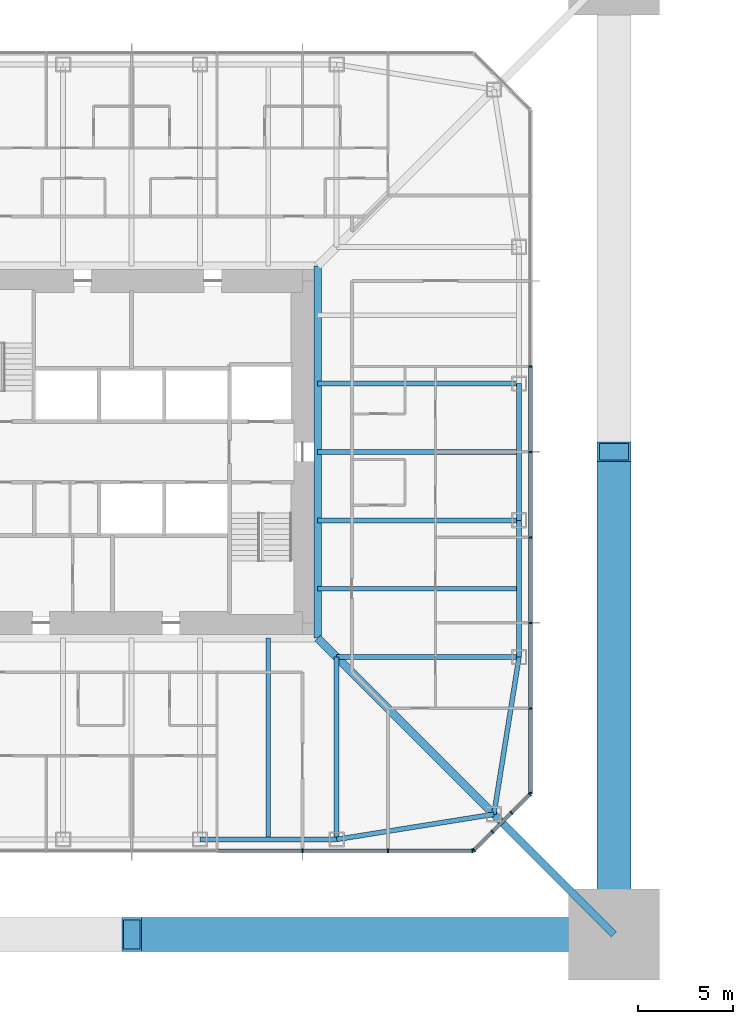
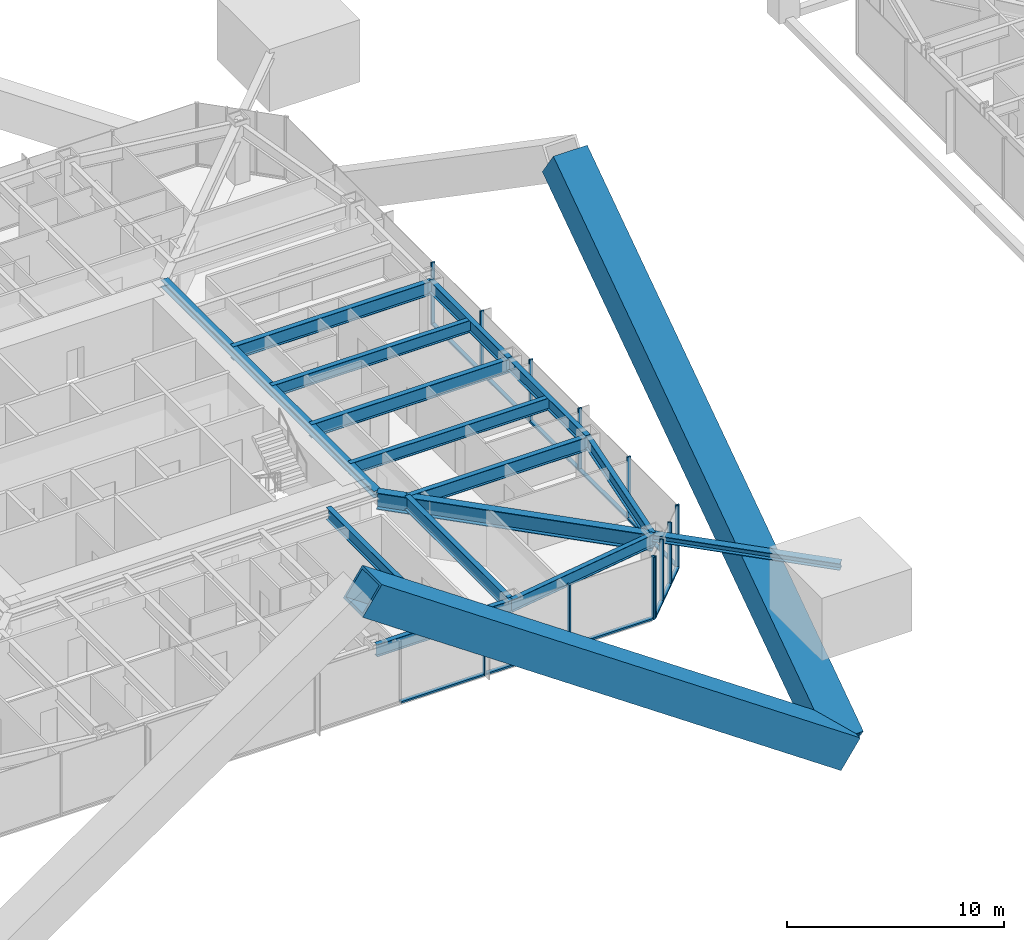
# One storey, part 5 of 26: 27 members, 14 beams, 3 elements without a shape of their own.
"""IFC4 building model written with IfcOpenShell, lengths in metres."""

from ifc_helpers import new_model, si_unit, direction, frame, origin, origin_2d, place, context, subcontext, project, spatial, rectangle, hollow_rectangle, i_section, extrude, material, material_profile, profile_set, type_object, element, aggregate, save


model = new_model("IFC4")

# Units and contexts
model_context = context("Model", 3, precision=1e-05, world=origin(), true_north=direction((0.0, 1.0)))
body_context = subcontext(model_context, "Body", "Model", "MODEL_VIEW")
ifc_project = project(units=[si_unit("LENGTHUNIT", "METRE"), si_unit("AREAUNIT", "SQUARE_METRE"), si_unit("VOLUMEUNIT", "CUBIC_METRE"), si_unit("PLANEANGLEUNIT", "RADIAN"), si_unit("MASSUNIT", "GRAM", prefix="KILO")], contexts=[model_context])

# Site, building, storey
site_placement = place(None, origin())
site = spatial("IfcSite", under=ifc_project, at=site_placement, CompositionType="ELEMENT")
building_placement = place(site_placement, origin())
building = spatial("IfcBuilding", under=site, at=building_placement, Name="Iwan Alto Co-Living Towers", CompositionType="ELEMENT")
storey_placement = place(building_placement, frame((0.0, 0.0, 115.5)))
storey = spatial("IfcBuildingStorey", under=building, at=storey_placement, Name="L31", CompositionType="ELEMENT", Elevation=115.5)

# Curtain wall, members
ifc_material_1 = material(Name="Bronze aluminium unitised frame", Category="aluminium")
curtain_wall_type_1 = type_object("IfcCurtainWallType", Name="CURTAIN WALL CW-A", PredefinedType="NOTDEFINED", material=ifc_material_1)
curtain_wall_1_placement = place(storey_placement, origin())
curtain_wall_1 = element("IfcCurtainWall", 1, at=curtain_wall_1_placement, inside=storey, type_object=curtain_wall_type_1, Name="T1 curtain wall S L31", PredefinedType="NOTDEFINED")
ifc_material_2 = material(Name="Aluminium 6063-T6 bronze anodised", Category="aluminium")
ifc_material_profile_1 = material_profile(ifc_material_2, rectangle(XDim=0.199951171875, YDim=0.080078125, at=origin_2d()), Name="AL 80X200")
ifc_profile_set_1 = profile_set([ifc_material_profile_1], Name="Aluminium 6063-T6 bronze anodised")
member_type_1 = type_object("IfcMemberType", Name="CW-A MULLION 80X200", PredefinedType="MULLION", material=ifc_profile_set_1)
member_1_placement = place(storey_placement, frame((9.0, -21.0, 0.0), z_axis=(0.0, 0.0, 1.0), x_axis=(0.0, 1.0, 0.0)))
member_1 = element("IfcMember", 2, at=member_1_placement, type_object=member_type_1, Name="CW-A mullion 7", PredefinedType="MULLION", context=body_context, shape_type="SweptSolid", body=[
    extrude(rectangle(XDim=0.199951171875, YDim=0.080078125, at=origin_2d()), origin(), (0.0, 0.0, 1.0), 3.5),
])
member_2_placement = place(storey_placement, frame((13.5, -21.0, 0.0), z_axis=(0.0, 0.0, 1.0), x_axis=(0.0, 1.0, 0.0)))
member_2 = element("IfcMember", 3, at=member_2_placement, type_object=member_type_1, Name="CW-A mullion 8", PredefinedType="MULLION", context=body_context, shape_type="SweptSolid", body=[
    extrude(rectangle(XDim=0.199951171875, YDim=0.080078125, at=origin_2d()), origin(), (0.0, 0.0, 1.0), 3.5),
])
member_3_placement = place(storey_placement, frame((17.9599609375, -21.0, 0.0), z_axis=(0.0, 0.0, 1.0), x_axis=(0.0, 1.0, 0.0)))
member_3 = element("IfcMember", 4, at=member_3_placement, type_object=member_type_1, Name="CW-A mullion 9", PredefinedType="MULLION", context=body_context, shape_type="SweptSolid", body=[
    extrude(rectangle(XDim=0.199951171875, YDim=0.080078125, at=origin_2d()), origin(), (0.0, 0.0, 1.0), 3.5),
])

curtain_wall_2_placement = place(storey_placement, origin())
curtain_wall_2 = element("IfcCurtainWall", 5, at=curtain_wall_2_placement, inside=storey, type_object=curtain_wall_type_1, Name="T1 curtain wall E L31", PredefinedType="NOTDEFINED")
member_4_placement = place(storey_placement, frame((21.0, -17.9599609375, 0.0), z_axis=(0.0, 0.0, 1.0), x_axis=(-1.0, 0.0, 0.0)))
member_4 = element("IfcMember", 6, at=member_4_placement, type_object=member_type_1, Name="CW-A mullion 1", PredefinedType="MULLION", context=body_context, shape_type="SweptSolid", body=[
    extrude(rectangle(XDim=0.199951171875, YDim=0.080078125, at=origin_2d()), origin(), (0.0, 0.0, 1.0), 3.5),
])
member_5_placement = place(storey_placement, frame((21.0, -13.5, 0.0), z_axis=(0.0, 0.0, 1.0), x_axis=(-1.0, 0.0, 0.0)))
member_5 = element("IfcMember", 7, at=member_5_placement, type_object=member_type_1, Name="CW-A mullion 2", PredefinedType="MULLION", context=body_context, shape_type="SweptSolid", body=[
    extrude(rectangle(XDim=0.199951171875, YDim=0.080078125, at=origin_2d()), origin(), (0.0, 0.0, 1.0), 3.5),
])
member_6_placement = place(storey_placement, frame((21.0, -9.0, 0.0), z_axis=(0.0, 0.0, 1.0), x_axis=(-1.0, 0.0, 0.0)))
member_6 = element("IfcMember", 8, at=member_6_placement, type_object=member_type_1, Name="CW-A mullion 3", PredefinedType="MULLION", context=body_context, shape_type="SweptSolid", body=[
    extrude(rectangle(XDim=0.199951171875, YDim=0.080078125, at=origin_2d()), origin(), (0.0, 0.0, 1.0), 3.5),
])
member_7_placement = place(storey_placement, frame((21.0, -4.5, 0.0), z_axis=(0.0, 0.0, 1.0), x_axis=(-1.0, 0.0, 0.0)))
member_7 = element("IfcMember", 9, at=member_7_placement, type_object=member_type_1, Name="CW-A mullion 4", PredefinedType="MULLION", context=body_context, shape_type="SweptSolid", body=[
    extrude(rectangle(XDim=0.199951171875, YDim=0.080078125, at=origin_2d()), origin(), (0.0, 0.0, 1.0), 3.5),
])
member_8_placement = place(storey_placement, frame((21.0, 0.0, 0.0), z_axis=(0.0, 0.0, 1.0), x_axis=(-1.0, 0.0, 0.0)))
member_8 = element("IfcMember", 10, at=member_8_placement, type_object=member_type_1, Name="CW-A mullion 5", PredefinedType="MULLION", context=body_context, shape_type="SweptSolid", body=[
    extrude(rectangle(XDim=0.199951171875, YDim=0.080078125, at=origin_2d()), origin(), (0.0, 0.0, 1.0), 3.5),
])
member_9_placement = place(storey_placement, frame((21.0, 4.5, 0.0), z_axis=(0.0, 0.0, 1.0), x_axis=(-1.0, 0.0, 0.0)))
member_9 = element("IfcMember", 11, at=member_9_placement, type_object=member_type_1, Name="CW-A mullion 6", PredefinedType="MULLION", context=body_context, shape_type="SweptSolid", body=[
    extrude(rectangle(XDim=0.199951171875, YDim=0.080078125, at=origin_2d()), origin(), (0.0, 0.0, 1.0), 3.5),
])

# Member
ifc_material_3 = material(Name="Aluminium 6063-T6 bronze anodised", Category="aluminium")
ifc_material_profile_2 = material_profile(ifc_material_3, rectangle(XDim=0.199951171875, YDim=0.10009765625, at=origin_2d()), Name="AL 200X100")
ifc_profile_set_2 = profile_set([ifc_material_profile_2], Name="Aluminium 6063-T6 bronze anodised")
member_type_2 = type_object("IfcMemberType", Name="CW-A TRANSOM 200X100", PredefinedType="USERDEFINED", material=ifc_profile_set_2)
member_10_placement = place(storey_placement, frame((4.5400390625, -21.0, 0.050048828125), z_axis=(1.0, 0.0, 0.0), x_axis=(0.0, 1.0, 0.0)))
member_10 = element("IfcMember", 12, at=member_10_placement, type_object=member_type_2, Name="CW-A transom 6.1", ObjectType="TRANSOM", PredefinedType="USERDEFINED", context=body_context, shape_type="SweptSolid", body=[
    extrude(rectangle(XDim=0.199951171875, YDim=0.10009765625, at=origin_2d()), origin(), (0.0, 0.0, 1.0), 4.419921875),
])

member_11_placement = place(storey_placement, frame((9.0400390625, -21.0, 0.050048828125), z_axis=(1.0, 0.0, 0.0), x_axis=(0.0, 1.0, 0.0)))
member_11 = element("IfcMember", 13, at=member_11_placement, type_object=member_type_2, Name="CW-A transom 7.1", ObjectType="TRANSOM", PredefinedType="USERDEFINED", context=body_context, shape_type="SweptSolid", body=[
    extrude(rectangle(XDim=0.199951171875, YDim=0.10009765625, at=origin_2d()), origin(), (0.0, 0.0, 1.0), 4.419921875),
])

member_12_placement = place(storey_placement, frame((13.5400390625, -21.0, 0.050048828125), z_axis=(1.0, 0.0, 0.0), x_axis=(0.0, 1.0, 0.0)))
member_12 = element("IfcMember", 14, at=member_12_placement, type_object=member_type_2, Name="CW-A transom 8.1", ObjectType="TRANSOM", PredefinedType="USERDEFINED", context=body_context, shape_type="SweptSolid", body=[
    extrude(rectangle(XDim=0.199951171875, YDim=0.10009765625, at=origin_2d()), origin(), (0.0, 0.0, 1.0), 4.3798828125),
])

aggregate(curtain_wall_1, [member_1, member_2, member_3, member_10, member_11, member_12])

member_13_placement = place(storey_placement, frame((21.0, -17.919921875, 0.050048828125), z_axis=(0.0, 1.0, 0.0), x_axis=(-1.0, 0.0, 0.0)))
member_13 = element("IfcMember", 15, at=member_13_placement, type_object=member_type_2, Name="CW-A transom 1.1", ObjectType="TRANSOM", PredefinedType="USERDEFINED", context=body_context, shape_type="SweptSolid", body=[
    extrude(rectangle(XDim=0.199951171875, YDim=0.10009765625, at=origin_2d()), origin(), (0.0, 0.0, 1.0), 4.3798828125),
])

member_14_placement = place(storey_placement, frame((21.0, -13.4599609375, 0.050048828125), z_axis=(0.0, 1.0, 0.0), x_axis=(-1.0, 0.0, 0.0)))
member_14 = element("IfcMember", 16, at=member_14_placement, type_object=member_type_2, Name="CW-A transom 2.1", ObjectType="TRANSOM", PredefinedType="USERDEFINED", context=body_context, shape_type="SweptSolid", body=[
    extrude(rectangle(XDim=0.199951171875, YDim=0.10009765625, at=origin_2d()), origin(), (0.0, 0.0, 1.0), 4.419921875),
])

member_15_placement = place(storey_placement, frame((21.0, -8.9599609375, 0.050048828125), z_axis=(0.0, 1.0, 0.0), x_axis=(-1.0, 0.0, 0.0)))
member_15 = element("IfcMember", 17, at=member_15_placement, type_object=member_type_2, Name="CW-A transom 3.1", ObjectType="TRANSOM", PredefinedType="USERDEFINED", context=body_context, shape_type="SweptSolid", body=[
    extrude(rectangle(XDim=0.199951171875, YDim=0.10009765625, at=origin_2d()), origin(), (0.0, 0.0, 1.0), 4.419921875),
])

member_16_placement = place(storey_placement, frame((21.0, -4.4599609375, 0.050048828125), z_axis=(0.0, 1.0, 0.0), x_axis=(-1.0, 0.0, 0.0)))
member_16 = element("IfcMember", 18, at=member_16_placement, type_object=member_type_2, Name="CW-A transom 4.1", ObjectType="TRANSOM", PredefinedType="USERDEFINED", context=body_context, shape_type="SweptSolid", body=[
    extrude(rectangle(XDim=0.199951171875, YDim=0.10009765625, at=origin_2d()), origin(), (0.0, 0.0, 1.0), 4.419921875),
])

member_17_placement = place(storey_placement, frame((21.0, 0.0400390625, 0.050048828125), z_axis=(0.0, 1.0, 0.0), x_axis=(-1.0, 0.0, 0.0)))
member_17 = element("IfcMember", 19, at=member_17_placement, type_object=member_type_2, Name="CW-A transom 5.1", ObjectType="TRANSOM", PredefinedType="USERDEFINED", context=body_context, shape_type="SweptSolid", body=[
    extrude(rectangle(XDim=0.199951171875, YDim=0.10009765625, at=origin_2d()), origin(), (0.0, 0.0, 1.0), 4.419921875),
])

aggregate(curtain_wall_2, [member_4, member_5, member_6, member_7, member_8, member_9, member_13, member_14, member_15, member_16, member_17])

# Curtain wall, members
ifc_material_4 = material(Name="Bronze aluminium unitised frame", Category="aluminium")
curtain_wall_type_2 = type_object("IfcCurtainWallType", Name="CURTAIN WALL CW-B", PredefinedType="NOTDEFINED", material=ifc_material_4)
curtain_wall_3_placement = place(storey_placement, origin())
curtain_wall_3 = element("IfcCurtainWall", 20, at=curtain_wall_3_placement, inside=storey, type_object=curtain_wall_type_2, Name="T1 chamfer curtain wall SE L31", PredefinedType="NOTDEFINED")
ifc_material_5 = material(Name="Aluminium 6063-T6 bronze anodised", Category="aluminium")
ifc_material_profile_3 = material_profile(ifc_material_5, rectangle(XDim=0.199951171875, YDim=0.080078125, at=origin_2d()), Name="AL 80X200")
ifc_profile_set_3 = profile_set([ifc_material_profile_3], Name="Aluminium 6063-T6 bronze anodised")
member_type_3 = type_object("IfcMemberType", Name="CW-B MULLION 80X200", PredefinedType="MULLION", material=ifc_profile_set_3)
member_18_placement = place(storey_placement, frame((18.0283203125, -20.9716796875, 0.0), z_axis=(0.0, 0.0, 1.0), x_axis=(-0.707106781187, 0.707106781187, 0.0)))
member_18 = element("IfcMember", 21, at=member_18_placement, type_object=member_type_3, Name="CW-B mullion 1", PredefinedType="MULLION", context=body_context, shape_type="SweptSolid", body=[
    extrude(rectangle(XDim=0.199951171875, YDim=0.080078125, at=origin_2d()), origin(), (0.0, 0.0, 1.0), 3.5),
])
member_19_placement = place(storey_placement, frame((19.0, -20.0, 0.0), z_axis=(0.0, 0.0, 1.0), x_axis=(-0.707106781187, 0.707106781187, 0.0)))
member_19 = element("IfcMember", 22, at=member_19_placement, type_object=member_type_3, Name="CW-B mullion 2", PredefinedType="MULLION", context=body_context, shape_type="SweptSolid", body=[
    extrude(rectangle(XDim=0.199951171875, YDim=0.080078125, at=origin_2d()), origin(), (0.0, 0.0, 1.0), 3.5),
])
member_20_placement = place(storey_placement, frame((20.0, -19.0, 0.0), z_axis=(0.0, 0.0, 1.0), x_axis=(-0.707106781187, 0.707106781187, 0.0)))
member_20 = element("IfcMember", 23, at=member_20_placement, type_object=member_type_3, Name="CW-B mullion 3", PredefinedType="MULLION", context=body_context, shape_type="SweptSolid", body=[
    extrude(rectangle(XDim=0.199951171875, YDim=0.080078125, at=origin_2d()), origin(), (0.0, 0.0, 1.0), 3.5),
])
member_21_placement = place(storey_placement, frame((20.9716796875, -18.0283203125, 0.0), z_axis=(0.0, 0.0, 1.0), x_axis=(-0.707106781187, 0.707106781187, 0.0)))
member_21 = element("IfcMember", 24, at=member_21_placement, type_object=member_type_3, Name="CW-B mullion 4", PredefinedType="MULLION", context=body_context, shape_type="SweptSolid", body=[
    extrude(rectangle(XDim=0.199951171875, YDim=0.080078125, at=origin_2d()), origin(), (0.0, 0.0, 1.0), 3.5),
])
ifc_material_6 = material(Name="Aluminium 6063-T6 bronze anodised", Category="aluminium")
ifc_material_profile_4 = material_profile(ifc_material_6, rectangle(XDim=0.199951171875, YDim=0.10009765625, at=origin_2d()), Name="AL 200X100")
ifc_profile_set_4 = profile_set([ifc_material_profile_4], Name="Aluminium 6063-T6 bronze anodised")
member_type_4 = type_object("IfcMemberType", Name="CW-B TRANSOM 200X100", PredefinedType="USERDEFINED", material=ifc_profile_set_4)
member_22_placement = place(storey_placement, frame((18.056640625, -20.943359375, 0.050048828125), z_axis=(0.707106781187, 0.707106781187, 0.0), x_axis=(-0.707106781187, 0.707106781187, 0.0)))
member_22 = element("IfcMember", 25, at=member_22_placement, type_object=member_type_4, Name="CW-B transom 1.1", ObjectType="TRANSOM", PredefinedType="USERDEFINED", context=body_context, shape_type="SweptSolid", body=[
    extrude(rectangle(XDim=0.199951171875, YDim=0.10009765625, at=origin_2d()), origin(), (0.0, 0.0, 1.0), 1.2939453125),
])
member_23_placement = place(storey_placement, frame((19.0283203125, -19.9716796875, 0.050048828125), z_axis=(0.707106781187, 0.707106781187, 0.0), x_axis=(-0.707106781187, 0.707106781187, 0.0)))
member_23 = element("IfcMember", 26, at=member_23_placement, type_object=member_type_4, Name="CW-B transom 2.1", ObjectType="TRANSOM", PredefinedType="USERDEFINED", context=body_context, shape_type="SweptSolid", body=[
    extrude(rectangle(XDim=0.199951171875, YDim=0.10009765625, at=origin_2d()), origin(), (0.0, 0.0, 1.0), 1.334228515625),
])
member_24_placement = place(storey_placement, frame((20.0283203125, -18.9716796875, 0.050048828125), z_axis=(0.707106781187, 0.707106781187, 0.0), x_axis=(-0.707106781187, 0.707106781187, 0.0)))
member_24 = element("IfcMember", 27, at=member_24_placement, type_object=member_type_4, Name="CW-B transom 3.1", ObjectType="TRANSOM", PredefinedType="USERDEFINED", context=body_context, shape_type="SweptSolid", body=[
    extrude(rectangle(XDim=0.199951171875, YDim=0.10009765625, at=origin_2d()), origin(), (0.0, 0.0, 1.0), 1.2939453125),
])
aggregate(curtain_wall_3, [member_18, member_19, member_20, member_21, member_22, member_23, member_24])

# Beams
ifc_material_7 = material(Name="Steel ASTM A992 Gr 50", Category="steel")
ifc_material_profile_5 = material_profile(ifc_material_7, i_section(OverallWidth=0.398681640625, OverallDepth=0.385986328125, WebThickness=0.02099609375, FlangeThickness=0.033203125, at=origin_2d()), Name="W14X176")
ifc_profile_set_5 = profile_set([ifc_material_profile_5], Name="Steel ASTM A992 Gr 50")
beam_type_1 = type_object("IfcBeamType", Name="T1 CORE LEDGER BEAM W14X176", PredefinedType="BEAM", material=ifc_profile_set_5)
beam_1_placement = place(storey_placement, frame((9.79931640625, -9.79931640625, 3.076904296875), z_axis=(0.0, 1.0, 0.0), x_axis=(-1.0, 0.0, 0.0)))
element("IfcBeam", 28, at=beam_1_placement, inside=storey, type_object=beam_type_1, Name="T1 core ledger beam E L32", PredefinedType="BEAM", context=body_context, shape_type="SweptSolid", body=[
    extrude(i_section(OverallWidth=0.398681640625, OverallDepth=0.385986328125, WebThickness=0.02099609375, FlangeThickness=0.033203125, at=origin_2d()), origin(), (0.0, 0.0, 1.0), 19.5986328125),
])
ifc_material_8 = material(Name="Steel ASTM A992 Gr 50", Category="steel")
ifc_material_profile_6 = material_profile(ifc_material_8, i_section(OverallWidth=0.419189453125, OverallDepth=0.927001953125, WebThickness=0.019287109375, FlangeThickness=0.031982421875, at=origin_2d()), Name="W36X231")
ifc_profile_set_6 = profile_set([ifc_material_profile_6], Name="Steel ASTM A992 Gr 50")
beam_type_2 = type_object("IfcBeamType", Name="T1 CORNER GIRDER W36X231", PredefinedType="BEAM", material=ifc_profile_set_6)
beam_2_placement = place(storey_placement, frame((19.07568359375, -19.07568359375, 2.806396484375), z_axis=(-0.707106781187, 0.707106781187, 0.0), x_axis=(-0.707106781187, -0.707106781187, 0.0)))
element("IfcBeam", 29, at=beam_2_placement, inside=storey, type_object=beam_type_2, Name="T1 corner girder CSE L32", PredefinedType="BEAM", context=body_context, shape_type="SweptSolid", body=[
    extrude(i_section(OverallWidth=0.419189453125, OverallDepth=0.927001953125, WebThickness=0.019287109375, FlangeThickness=0.031982421875, at=origin_2d()), origin(), (0.0, 0.0, 1.0), 13.11865234375),
])
ifc_material_9 = material(Name="Steel ASTM A992 Gr 50", Category="steel")
ifc_material_profile_7 = material_profile(ifc_material_9, i_section(OverallWidth=0.25390625, OverallDepth=0.683349609375, WebThickness=0.012451171875, FlangeThickness=0.018798828125, at=origin_2d()), Name="W27X94")
ifc_profile_set_7 = profile_set([ifc_material_profile_7], Name="Steel ASTM A992 Gr 50")
beam_type_3 = type_object("IfcBeamType", Name="T1 EDGE BEAM W27X94", PredefinedType="BEAM", material=ifc_profile_set_7)
beam_3_placement = place(storey_placement, frame((3.60009765625, -20.39990234375, 2.928466796875), z_axis=(1.0, 0.0, 0.0), x_axis=(0.0, 1.0, 0.0)))
element("IfcBeam", 30, at=beam_3_placement, inside=storey, type_object=beam_type_3, Name="T1 edge beam S3 L32", PredefinedType="BEAM", context=body_context, shape_type="SweptSolid", body=[
    extrude(i_section(OverallWidth=0.25390625, OverallDepth=0.683349609375, WebThickness=0.012451171875, FlangeThickness=0.018798828125, at=origin_2d()), origin(), (0.0, 0.0, 1.0), 7.199951171875),
])
for number, where, z_axis, x_axis, name in (
    (31, (10.800048828125, -20.39990234375, 2.928466796875), (0.987438450439, 0.158004134737, 0.0), (-0.158004134737, 0.987438450439, 0.0), "T1 edge beam S4 L32"),
    (32, (19.07568359375, -19.07568359375, 2.928466796875), (0.158004134737, 0.987438450439, 0.0), (-0.987438450439, 0.158004134737, 0.0), "T1 edge beam CSE L32"),
):
    element("IfcBeam", number, at=place(storey_placement, frame(where, z_axis=z_axis, x_axis=x_axis)), inside=storey, type_object=beam_type_3, Name=name, PredefinedType="BEAM", context=body_context, shape_type="SweptSolid", body=[
        extrude(i_section(OverallWidth=0.25390625, OverallDepth=0.683349609375, WebThickness=0.012451171875, FlangeThickness=0.018798828125, at=origin_2d()), origin(), (0.0, 0.0, 1.0), 8.380859375),
    ])
beam_4_placement = place(storey_placement, frame((20.39990234375, -10.800048828125, 2.928466796875), z_axis=(0.0, 1.0, 0.0), x_axis=(-1.0, 0.0, 0.0)))
element("IfcBeam", 33, at=beam_4_placement, inside=storey, type_object=beam_type_3, Name="T1 edge beam E1 L32", PredefinedType="BEAM", context=body_context, shape_type="SweptSolid", body=[
    extrude(i_section(OverallWidth=0.25390625, OverallDepth=0.683349609375, WebThickness=0.012451171875, FlangeThickness=0.018798828125, at=origin_2d()), origin(), (0.0, 0.0, 1.0), 7.199951171875),
])
beam_5_placement = place(storey_placement, frame((20.39990234375, -3.60009765625, 2.928466796875), z_axis=(0.0, 1.0, 0.0), x_axis=(-1.0, 0.0, 0.0)))
element("IfcBeam", 34, at=beam_5_placement, inside=storey, type_object=beam_type_3, Name="T1 edge beam E2 L32", PredefinedType="BEAM", context=body_context, shape_type="SweptSolid", body=[
    extrude(i_section(OverallWidth=0.25390625, OverallDepth=0.683349609375, WebThickness=0.012451171875, FlangeThickness=0.018798828125, at=origin_2d()), origin(), (0.0, 0.0, 1.0), 7.2001953125),
])

# Members
ifc_material_10 = material(Name="Steel ASTM A572 Gr 42", Category="steel")
ifc_material_profile_8 = material_profile(ifc_material_10, hollow_rectangle(XDim=1.800048828125, YDim=1.800048828125, WallThickness=0.1298828125, at=origin_2d()), Name="BOX 1800X1800X130")
ifc_profile_set_8 = profile_set([ifc_material_profile_8], Name="Steel ASTM A572 Gr 42")
member_type_5 = type_object("IfcMemberType", Name="T1 MEGA BRACE BOX 1800X1800X130", PredefinedType="BRACE", material=ifc_profile_set_8)
for number, where, z_axis, x_axis, name in (
    (35, (25.39990234375, -25.39990234375, -7.0), (-0.82347292246, 0.0, 0.56735557279), (0.0, -1.0, 0.0), "T1 mega brace Z2B S 2 lower"),
    (36, (25.39990234375, -25.39990234375, -7.0), (0.0, 0.82347292246, 0.56735557279), (-1.0, 0.0, 0.0), "T1 mega brace Z2B E 1 lower"),
):
    element("IfcMember", number, at=place(storey_placement, frame(where, z_axis=z_axis, x_axis=x_axis)), inside=storey, type_object=member_type_5, Name=name, PredefinedType="BRACE", context=body_context, shape_type="SweptSolid", body=[
        extrude(hollow_rectangle(XDim=1.800048828125, YDim=1.800048828125, WallThickness=0.1298828125, at=origin_2d()), origin(), (0.0, 0.0, 1.0), 30.844970703125),
    ])
ifc_material_11 = material(Name="Steel ASTM A992 Gr 50", Category="steel")
ifc_material_profile_9 = material_profile(ifc_material_11, i_section(OverallWidth=0.393798828125, OverallDepth=0.3759765625, WebThickness=0.017333984375, FlangeThickness=0.027587890625, at=origin_2d()), Name="W14X145")
ifc_profile_set_9 = profile_set([ifc_material_profile_9], Name="Steel ASTM A992 Gr 50")
member_type_6 = type_object("IfcMemberType", Name="T1 MEGA COLUMN FLOOR TIE W14X145", PredefinedType="STRUT", material=ifc_profile_set_9)
member_25_placement = place(storey_placement, frame((25.39990234375, -25.39990234375, 3.08203125), z_axis=(-0.707106781187, 0.707106781187, 0.0), x_axis=(-0.707106781187, -0.707106781187, 0.0)))
element("IfcMember", 37, at=member_25_placement, inside=storey, type_object=member_type_6, Name="T1 mega column floor tie SE L32", PredefinedType="STRUT", context=body_context, shape_type="SweptSolid", body=[
    extrude(i_section(OverallWidth=0.393798828125, OverallDepth=0.3759765625, WebThickness=0.017333984375, FlangeThickness=0.027587890625, at=origin_2d()), origin(), (0.0, 0.0, 1.0), 8.94384765625),
])

# Beams
ifc_material_12 = material(Name="Steel ASTM A992 Gr 50", Category="steel")
ifc_material_profile_10 = material_profile(ifc_material_12, i_section(OverallWidth=0.2666015625, OverallDepth=0.761962890625, WebThickness=0.014404296875, FlangeThickness=0.021484375, at=origin_2d()), Name="W30X116")
ifc_profile_set_10 = profile_set([ifc_material_profile_10], Name="Steel ASTM A992 Gr 50")
beam_type_4 = type_object("IfcBeamType", Name="T1 RADIAL BEAM W30X116", PredefinedType="BEAM", material=ifc_profile_set_10)
for number, where, z_axis, x_axis, name in (
    (38, (10.800048828125, -20.39990234375, 2.888916015625), (0.0, 1.0, 0.0), (-1.0, 0.0, 0.0), "T1 radial beam S4 L32"),
    (39, (20.39990234375, -10.800048828125, 2.888916015625), (-1.0, 0.0, 0.0), (0.0, -1.0, 0.0), "T1 radial beam E1 L32"),
):
    element("IfcBeam", number, at=place(storey_placement, frame(where, z_axis=z_axis, x_axis=x_axis)), inside=storey, type_object=beam_type_4, Name=name, PredefinedType="BEAM", context=body_context, shape_type="SweptSolid", body=[
        extrude(i_section(OverallWidth=0.2666015625, OverallDepth=0.761962890625, WebThickness=0.014404296875, FlangeThickness=0.021484375, at=origin_2d()), origin(), (0.0, 0.0, 1.0), 9.599853515625),
    ])
for number, where, z_axis, x_axis, name in (
    (40, (20.39990234375, -3.60009765625, 2.888916015625), (-1.0, 0.0, 0.0), (0.0, -1.0, 0.0), "T1 radial beam E2 L32"),
    (41, (20.39990234375, 3.60009765625, 2.888916015625), (-1.0, 0.0, 0.0), (0.0, -1.0, 0.0), "T1 radial beam E3 L32"),
):
    element("IfcBeam", number, at=place(storey_placement, frame(where, z_axis=z_axis, x_axis=x_axis)), inside=storey, type_object=beam_type_4, Name=name, PredefinedType="BEAM", context=body_context, shape_type="SweptSolid", body=[
        extrude(i_section(OverallWidth=0.2666015625, OverallDepth=0.761962890625, WebThickness=0.014404296875, FlangeThickness=0.021484375, at=origin_2d()), origin(), (0.0, 0.0, 1.0), 10.6005859375),
    ])
ifc_material_13 = material(Name="Steel ASTM A992 Gr 50", Category="steel")
ifc_material_profile_11 = material_profile(ifc_material_13, i_section(OverallWidth=0.25390625, OverallDepth=0.683349609375, WebThickness=0.012451171875, FlangeThickness=0.018798828125, at=origin_2d()), Name="W27X94")
ifc_profile_set_11 = profile_set([ifc_material_profile_11], Name="Steel ASTM A992 Gr 50")
beam_type_5 = type_object("IfcBeamType", Name="T1 SECONDARY BEAM W27X94", PredefinedType="JOIST", material=ifc_profile_set_11)
for number, where, z_axis, x_axis, name in (
    (42, (7.199951171875, -20.39990234375, 2.928466796875), (0.0, 1.0, 0.0), (-1.0, 0.0, 0.0), "T1 secondary beam S3 L32"),
    (43, (20.39990234375, -7.199951171875, 2.928466796875), (-1.0, 0.0, 0.0), (0.0, -1.0, 0.0), "T1 secondary beam E1 L32"),
    (44, (20.39990234375, 0.0, 2.928466796875), (-1.0, 0.0, 0.0), (0.0, -1.0, 0.0), "T1 secondary beam E2 L32"),
):
    element("IfcBeam", number, at=place(storey_placement, frame(where, z_axis=z_axis, x_axis=x_axis)), inside=storey, type_object=beam_type_5, Name=name, PredefinedType="JOIST", context=body_context, shape_type="SweptSolid", body=[
        extrude(i_section(OverallWidth=0.25390625, OverallDepth=0.683349609375, WebThickness=0.012451171875, FlangeThickness=0.018798828125, at=origin_2d()), origin(), (0.0, 0.0, 1.0), 10.6005859375),
    ])

save(model, "model.ifc")
